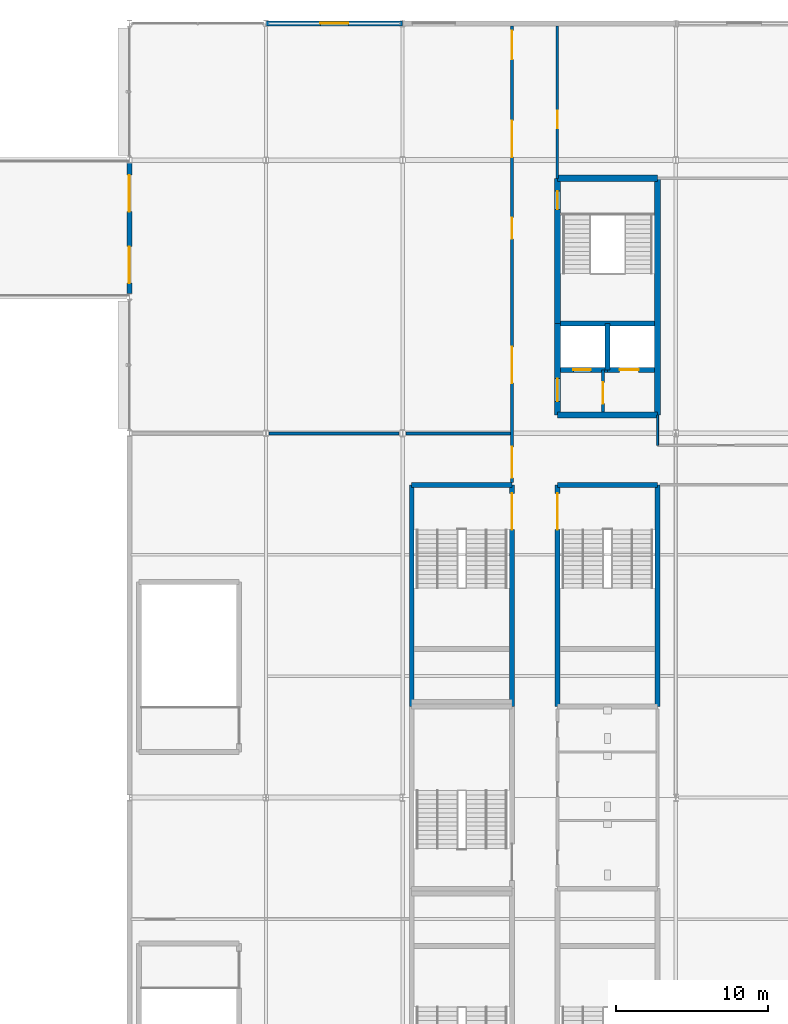
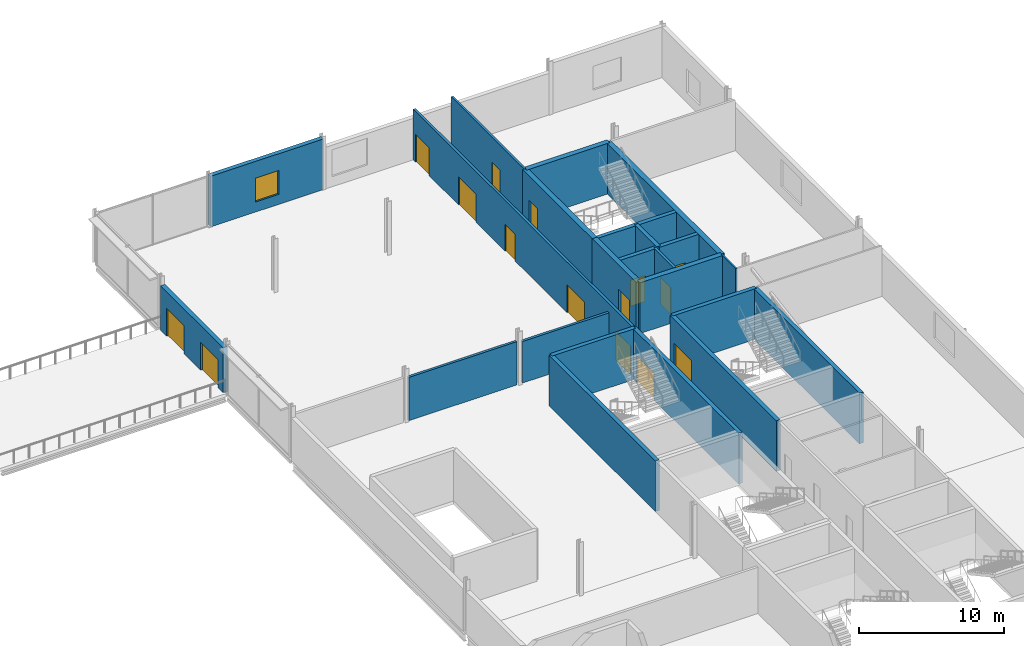
# One storey, part 45 of 73: 23 walls, 15 doors, 1 window, 16 openings.
"""IFC4 building model written with IfcOpenShell, lengths in metres."""

from ifc_helpers import new_model, si_unit, direction, frame, frame_2d, origin, place, context, subcontext, project, spatial, rectangle, extrude, material, layer, layer_set, type_object, element, fill, save


model = new_model("IFC4")

# Units and contexts
model_context = context("Model", 3, precision=1e-05, world=origin(), true_north=direction((0.0, 1.0)))
body_context = subcontext(model_context, "Body", "Model", "MODEL_VIEW")
ifc_project = project(units=[si_unit("LENGTHUNIT", "METRE"), si_unit("AREAUNIT", "SQUARE_METRE"), si_unit("VOLUMEUNIT", "CUBIC_METRE"), si_unit("PLANEANGLEUNIT", "RADIAN"), si_unit("MASSUNIT", "GRAM", prefix="KILO")], contexts=[model_context])

# Site, building, storey
site_placement = place(None, origin())
site = spatial("IfcSite", under=ifc_project, at=site_placement, CompositionType="ELEMENT")
building_placement = place(site_placement, origin())
building = spatial("IfcBuilding", under=site, at=building_placement, Name="Kisiwana Market Hall", CompositionType="ELEMENT")
storey_placement = place(building_placement, frame((0.0, 0.0, 33.300048828125)))
storey = spatial("IfcBuildingStorey", under=building, at=storey_placement, Name="L07", CompositionType="ELEMENT", Elevation=33.300048828125)

# Wall, opening, door
ifc_material_1 = material(Name="Masonry blockwork", Category="masonry")
ifc_layer_1 = layer(ifc_material_1, 0.199951171875, Name="Plastered fire compartment block wall")
ifc_layer_set_1 = layer_set([ifc_layer_1], Name="WL-COMP-200")
wall_type_1 = type_object("IfcWallType", Name="WL-COMP-200", PredefinedType="PARTITIONING", material=ifc_layer_set_1)
wall_1_placement = place(storey_placement, frame((184.199951171875, 85.39990234375, 0.0), z_axis=(0.0, 0.0, 1.0), x_axis=(0.0, 1.0, 0.0)))
wall_1 = element("IfcWall", 1, at=wall_1_placement, inside=storey, type_object=wall_type_1, Name="Core E1 firefighting lobby wall W-2207", PredefinedType="PARTITIONING", context=body_context, shape_type="SweptSolid", body=[
    extrude(rectangle(XDim=2.780029296875, YDim=0.199951171875, at=frame_2d((1.39013671875, 0.0))), origin(), (0.0, 0.0, 1.0), 4.2548828125),
])
opening_1_placement = place(wall_1_placement, frame((0.550048828125, 0.0, 0.0)))
opening_1 = element("IfcOpeningElement", 2, at=opening_1_placement, cuts=wall_1, Name="Opening DR-L07-012", PredefinedType="OPENING", context=body_context, shape_type="SweptSolid", body=[
    extrude(rectangle(XDim=1.39990234375, YDim=2.25, at=frame_2d((0.699951171875, 1.125))), frame((0.0, 0.11181640625, 0.0), z_axis=(0.0, -1.0, 0.0), x_axis=(1.0, 0.0, 0.0)), (0.0, 0.0, 1.0), 0.223876953125),
])
ifc_material_2 = material(Name="Steel S275", Category="steel")
door_type_1 = type_object("IfcDoorType", Name="DR-FFLOB-FD120-1400", OperationType="DOUBLE_DOOR_SINGLE_SWING", PredefinedType="DOOR", material=ifc_material_2)
door_1_placement = place(opening_1_placement, origin())
door_1 = element("IfcDoor", 3, at=door_1_placement, inside=storey, type_object=door_type_1, Name="Firefighting Lift Lobby E1 Door (L07)", OperationType="DOUBLE_DOOR_SINGLE_SWING", OverallHeight=2.25, OverallWidth=1.39990234375, PredefinedType="DOOR", context=body_context, shape_type="SweptSolid", body=[
    extrude(rectangle(XDim=1.39990234375, YDim=2.25, at=frame_2d((0.699951171875, 1.125))), frame((0.0, 0.02490234375, 0.0), z_axis=(0.0, -1.0, 0.0), x_axis=(1.0, 0.0, 0.0)), (0.0, 0.0, 1.0), 0.050048828125),
])
fill(opening_1, door_1)

# Walls
wall_2_placement = place(storey_placement, frame((162.199951171875, 84.0, 0.0), z_axis=(0.0, 0.0, 1.0), x_axis=(1.0, 0.0, 0.0)))
element("IfcWall", 4, at=wall_2_placement, inside=storey, type_object=wall_type_1, Name="Interior partition W-2253", PredefinedType="PARTITIONING", context=body_context, shape_type="SweptSolid", body=[
    extrude(rectangle(XDim=8.574951171875, YDim=0.199951171875, at=frame_2d((4.28759765625, 0.0))), origin(), (0.0, 0.0, 1.0), 3.6376953125),
])
wall_3_placement = place(storey_placement, frame((171.22509765625, 84.0, 0.0), z_axis=(0.0, 0.0, 1.0), x_axis=(1.0, 0.0, 0.0)))
element("IfcWall", 5, at=wall_3_placement, inside=storey, type_object=wall_type_1, Name="Interior partition W-2254", PredefinedType="PARTITIONING", context=body_context, shape_type="SweptSolid", body=[
    extrude(rectangle(XDim=6.875, YDim=0.199951171875, at=frame_2d((3.4375, 0.0))), origin(), (0.0, 0.0, 1.0), 3.49267578125),
])

# Wall, openings, doors
wall_4_placement = place(storey_placement, frame((178.199951171875, 80.760009765625, 0.0), z_axis=(0.0, 0.0, 1.0), x_axis=(0.0, 1.0, 0.0)))
wall_4 = element("IfcWall", 6, at=wall_4_placement, inside=storey, type_object=wall_type_1, Name="Interior partition W-2256", PredefinedType="PARTITIONING", context=body_context, shape_type="SweptSolid", body=[
    extrude(rectangle(XDim=30.070068359375, YDim=0.199951171875, at=frame_2d((15.03515625, 0.0))), origin(), (0.0, 0.0, 1.0), 4.2548828125),
])
opening_2_placement = place(wall_4_placement, frame((16.0400390625, 0.0, 0.0)))
opening_2 = element("IfcOpeningElement", 7, at=opening_2_placement, cuts=wall_4, Name="Opening DR-L07-060", PredefinedType="OPENING", context=body_context, shape_type="SweptSolid", body=[
    extrude(rectangle(XDim=1.39990234375, YDim=2.25, at=frame_2d((0.699951171875, 1.125))), frame((0.0, 0.11181640625, 0.0), z_axis=(0.0, -1.0, 0.0), x_axis=(1.0, 0.0, 0.0)), (0.0, 0.0, 1.0), 0.223876953125),
])
opening_3_placement = place(wall_4_placement, frame((6.5400390625, 0.0, 0.0)))
opening_3 = element("IfcOpeningElement", 8, at=opening_3_placement, cuts=wall_4, Name="Opening DR-L07-061", PredefinedType="OPENING", context=body_context, shape_type="SweptSolid", body=[
    extrude(rectangle(XDim=2.39990234375, YDim=2.35009765625, at=frame_2d((1.199951171875, 1.175048828125))), frame((0.0, 0.11181640625, 0.0), z_axis=(0.0, -1.0, 0.0), x_axis=(1.0, 0.0, 0.0)), (0.0, 0.0, 1.0), 0.223876953125),
])
opening_4_placement = place(wall_4_placement, frame((21.43994140625, 0.0, 0.0)))
opening_4 = element("IfcOpeningElement", 9, at=opening_4_placement, cuts=wall_4, Name="Opening DR-L07-062", PredefinedType="OPENING", context=body_context, shape_type="SweptSolid", body=[
    extrude(rectangle(XDim=2.39990234375, YDim=2.35009765625, at=frame_2d((1.199951171875, 1.175048828125))), frame((0.0, 0.11181640625, 0.0), z_axis=(0.0, -1.0, 0.0), x_axis=(1.0, 0.0, 0.0)), (0.0, 0.0, 1.0), 0.223876953125),
])
opening_5_placement = place(wall_4_placement, frame((0.300048828125, 0.0, 0.0)))
opening_5 = element("IfcOpeningElement", 10, at=opening_5_placement, cuts=wall_4, Name="Opening DR-L07-063", PredefinedType="OPENING", context=body_context, shape_type="SweptSolid", body=[
    extrude(rectangle(XDim=2.050048828125, YDim=2.39990234375, at=frame_2d((1.02490234375, 1.199951171875))), frame((0.0, 0.11181640625, 0.0), z_axis=(0.0, -1.0, 0.0), x_axis=(1.0, 0.0, 0.0)), (0.0, 0.0, 1.0), 0.223876953125),
])
opening_6_placement = place(wall_4_placement, frame((27.8701171875, 0.0, 0.0)))
opening_6 = element("IfcOpeningElement", 11, at=opening_6_placement, cuts=wall_4, Name="Opening DR-L07-064", PredefinedType="OPENING", context=body_context, shape_type="SweptSolid", body=[
    extrude(rectangle(XDim=1.89990234375, YDim=2.35009765625, at=frame_2d((0.949951171875, 1.175048828125))), frame((0.0, 0.11181640625, 0.0), z_axis=(0.0, -1.0, 0.0), x_axis=(1.0, 0.0, 0.0)), (0.0, 0.0, 1.0), 0.223876953125),
])
door_2_placement = place(opening_2_placement, origin())
door_2 = element("IfcDoor", 12, at=door_2_placement, inside=storey, type_object=door_type_1, Name="L07 E Refuge and Wellness Suite Door", OperationType="DOUBLE_DOOR_SINGLE_SWING", OverallHeight=2.25, OverallWidth=1.39990234375, PredefinedType="DOOR", context=body_context, shape_type="SweptSolid", body=[
    extrude(rectangle(XDim=1.39990234375, YDim=2.25, at=frame_2d((0.699951171875, 1.125))), frame((0.0, 0.02490234375, 0.0), z_axis=(0.0, -1.0, 0.0), x_axis=(1.0, 0.0, 0.0)), (0.0, 0.0, 1.0), 0.050048828125),
])
fill(opening_2, door_2)
ifc_material_3 = material(Name="Steel S275", Category="steel")
door_type_2 = type_object("IfcDoorType", Name="DR-HALL-1900", OperationType="DOUBLE_DOOR_SINGLE_SWING", PredefinedType="DOOR", material=ifc_material_3)
door_3_placement = place(opening_6_placement, origin())
door_3 = element("IfcDoor", 13, at=door_3_placement, inside=storey, type_object=door_type_2, Name="L07 E Town-Hall Briefing Room Door", OperationType="DOUBLE_DOOR_SINGLE_SWING", OverallHeight=2.35009765625, OverallWidth=1.89990234375, PredefinedType="DOOR", context=body_context, shape_type="SweptSolid", body=[
    extrude(rectangle(XDim=1.89990234375, YDim=2.35009765625, at=frame_2d((0.949951171875, 1.175048828125))), frame((0.0, 0.02490234375, 0.0), z_axis=(0.0, -1.0, 0.0), x_axis=(1.0, 0.0, 0.0)), (0.0, 0.0, 1.0), 0.050048828125),
])
fill(opening_6, door_3)
ifc_material_4 = material(Name="Hardwood timber", Category="wood")
door_type_3 = type_object("IfcDoorType", Name="DR-HALL-2050", OperationType="DOUBLE_DOOR_SINGLE_SWING", PredefinedType="DOOR", material=ifc_material_4)
door_4_placement = place(opening_5_placement, origin())
door_4 = element("IfcDoor", 14, at=door_4_placement, inside=storey, type_object=door_type_3, Name="L07 E Staff Dining Canteen Door", OperationType="DOUBLE_DOOR_SINGLE_SWING", OverallHeight=2.39990234375, OverallWidth=2.050048828125, PredefinedType="DOOR", context=body_context, shape_type="SweptSolid", body=[
    extrude(rectangle(XDim=2.050048828125, YDim=2.39990234375, at=frame_2d((1.02490234375, 1.199951171875))), frame((0.0, 0.02490234375, 0.0), z_axis=(0.0, -1.0, 0.0), x_axis=(1.0, 0.0, 0.0)), (0.0, 0.0, 1.0), 0.050048828125),
])
fill(opening_5, door_4)
ifc_material_5 = material(Name="Steel S275", Category="steel")
door_type_4 = type_object("IfcDoorType", Name="DR-HALL-2400", OperationType="DOUBLE_DOOR_SINGLE_SWING", PredefinedType="DOOR", material=ifc_material_5)
door_5_placement = place(opening_3_placement, origin())
door_5 = element("IfcDoor", 15, at=door_5_placement, inside=storey, type_object=door_type_4, Name="L07 E Refuge and Wellness Suite Second Door", OperationType="DOUBLE_DOOR_SINGLE_SWING", OverallHeight=2.35009765625, OverallWidth=2.39990234375, PredefinedType="DOOR", context=body_context, shape_type="SweptSolid", body=[
    extrude(rectangle(XDim=2.39990234375, YDim=2.35009765625, at=frame_2d((1.199951171875, 1.175048828125))), frame((0.0, 0.02490234375, 0.0), z_axis=(0.0, -1.0, 0.0), x_axis=(1.0, 0.0, 0.0)), (0.0, 0.0, 1.0), 0.050048828125),
])
fill(opening_3, door_5)
door_6_placement = place(opening_4_placement, origin())
door_6 = element("IfcDoor", 16, at=door_6_placement, inside=storey, type_object=door_type_4, Name="L07 E Refuge and Wellness Suite Third Door", OperationType="DOUBLE_DOOR_SINGLE_SWING", OverallHeight=2.35009765625, OverallWidth=2.39990234375, PredefinedType="DOOR", context=body_context, shape_type="SweptSolid", body=[
    extrude(rectangle(XDim=2.39990234375, YDim=2.35009765625, at=frame_2d((1.199951171875, 1.175048828125))), frame((0.0, 0.02490234375, 0.0), z_axis=(0.0, -1.0, 0.0), x_axis=(1.0, 0.0, 0.0)), (0.0, 0.0, 1.0), 0.050048828125),
])
fill(opening_4, door_6)

# Walls
ifc_material_6 = material(Name="Concrete C40/50", Category="concrete")
ifc_layer_2 = layer(ifc_material_6, 0.320068359375, Name="Reinforced concrete shaft wall")
ifc_layer_set_2 = layer_set([ifc_layer_2], Name="WL-CORE-320")
wall_type_2 = type_object("IfcWallType", Name="WL-CORE-320", PredefinedType="SHEAR", material=ifc_layer_set_2)
wall_5_placement = place(storey_placement, frame((181.39990234375, 91.239990234375, 0.0), z_axis=(0.0, 0.0, 1.0), x_axis=(1.0, 0.0, 0.0)))
element("IfcWall", 17, at=wall_5_placement, inside=storey, type_object=wall_type_2, Name="Core E1 shaft back shear wall W-2110", PredefinedType="SHEAR", context=body_context, shape_type="SweptSolid", body=[
    extrude(rectangle(XDim=6.2001953125, YDim=0.320068359375, at=frame_2d((3.10009765625, 0.0))), origin(), (0.0, 0.0, 1.0), 4.2548828125),
])
wall_6_placement = place(storey_placement, frame((184.5, 88.179931640625, 0.0), z_axis=(0.0, 0.0, 1.0), x_axis=(0.0, 1.0, 0.0)))
element("IfcWall", 18, at=wall_6_placement, inside=storey, type_object=wall_type_2, Name="Core E1 inter-shaft shear wall W-2111", PredefinedType="SHEAR", context=body_context, shape_type="SweptSolid", body=[
    extrude(rectangle(XDim=3.06005859375, YDim=0.320068359375, at=frame_2d((1.530029296875, 0.0))), origin(), (0.0, 0.0, 1.0), 4.2548828125),
])

# Wall, opening, door
wall_7_placement = place(storey_placement, frame((181.39990234375, 88.179931640625, 0.0), z_axis=(0.0, 0.0, 1.0), x_axis=(1.0, 0.0, 0.0)))
wall_7 = element("IfcWall", 19, at=wall_7_placement, inside=storey, type_object=wall_type_2, Name="Core E1 west lift front wall W-2112", PredefinedType="SHEAR", context=body_context, shape_type="SweptSolid", body=[
    extrude(rectangle(XDim=3.10009765625, YDim=0.320068359375, at=frame_2d((1.550048828125, 0.0))), origin(), (0.0, 0.0, 1.0), 4.2548828125),
])
opening_7_placement = place(wall_7_placement, frame((0.85009765625, 0.0, 0.0)))
opening_7 = element("IfcOpeningElement", 20, at=opening_7_placement, cuts=wall_7, Name="Opening LD-L07-007", PredefinedType="OPENING", context=body_context, shape_type="SweptSolid", body=[
    extrude(rectangle(XDim=1.14990234375, YDim=2.199951171875, at=frame_2d((0.574951171875, 1.10009765625))), frame((0.0, 0.171875, 0.0), z_axis=(0.0, -1.0, 0.0), x_axis=(1.0, 0.0, 0.0)), (0.0, 0.0, 1.0), 0.343994140625),
])
ifc_material_7 = material(Name="Steel S275", Category="steel")
door_type_5 = type_object("IfcDoorType", Name="DR-LIFT-PAX-1150", OperationType="DOUBLE_DOOR_SLIDING", PredefinedType="DOOR", material=ifc_material_7)
door_7_placement = place(opening_7_placement, origin())
door_7 = element("IfcDoor", 21, at=door_7_placement, inside=storey, type_object=door_type_5, Name="Lift Landing Door LP-04 (L07)", OperationType="DOUBLE_DOOR_SLIDING", OverallHeight=2.199951171875, OverallWidth=1.14990234375, PredefinedType="DOOR", context=body_context, shape_type="SweptSolid", body=[
    extrude(rectangle(XDim=1.14990234375, YDim=2.199951171875, at=frame_2d((0.574951171875, 1.10009765625))), frame((0.0, 0.02490234375, 0.0), z_axis=(0.0, -1.0, 0.0), x_axis=(1.0, 0.0, 0.0)), (0.0, 0.0, 1.0), 0.050048828125),
])
fill(opening_7, door_7)

wall_8_placement = place(storey_placement, frame((184.5, 88.179931640625, 0.0), z_axis=(0.0, 0.0, 1.0), x_axis=(1.0, 0.0, 0.0)))
wall_8 = element("IfcWall", 22, at=wall_8_placement, inside=storey, type_object=wall_type_2, Name="Core E1 east lift front wall W-2113", PredefinedType="SHEAR", context=body_context, shape_type="SweptSolid", body=[
    extrude(rectangle(XDim=3.10009765625, YDim=0.320068359375, at=frame_2d((1.550048828125, 0.0))), origin(), (0.0, 0.0, 1.0), 4.2548828125),
])
opening_8_placement = place(wall_8_placement, frame((0.800048828125, 0.0, 0.0)))
opening_8 = element("IfcOpeningElement", 23, at=opening_8_placement, cuts=wall_8, Name="Opening LD-L07-008", PredefinedType="OPENING", context=body_context, shape_type="SweptSolid", body=[
    extrude(rectangle(XDim=1.25, YDim=2.25, at=frame_2d((0.625, 1.125))), frame((0.0, 0.171875, 0.0), z_axis=(0.0, -1.0, 0.0), x_axis=(1.0, 0.0, 0.0)), (0.0, 0.0, 1.0), 0.343994140625),
])
ifc_material_8 = material(Name="Steel S275", Category="steel")
door_type_6 = type_object("IfcDoorType", Name="DR-LIFT-FFL-1250", OperationType="DOUBLE_DOOR_SLIDING", PredefinedType="DOOR", material=ifc_material_8)
door_8_placement = place(opening_8_placement, origin())
door_8 = element("IfcDoor", 24, at=door_8_placement, inside=storey, type_object=door_type_6, Name="Lift Landing Door FFL-04 (L07)", OperationType="DOUBLE_DOOR_SLIDING", OverallHeight=2.25, OverallWidth=1.25, PredefinedType="DOOR", context=body_context, shape_type="SweptSolid", body=[
    extrude(rectangle(XDim=1.25, YDim=2.25, at=frame_2d((0.625, 1.125))), frame((0.0, 0.02490234375, 0.0), z_axis=(0.0, -1.0, 0.0), x_axis=(1.0, 0.0, 0.0)), (0.0, 0.0, 1.0), 0.050048828125),
])
fill(opening_8, door_8)

# Wall
wall_9_placement = place(storey_placement, frame((181.199951171875, 80.60009765625, 0.0), z_axis=(0.0, 0.0, 1.0), x_axis=(1.0, 0.0, 0.0)))
element("IfcWall", 25, at=wall_9_placement, inside=storey, type_object=wall_type_2, Name="Core E4 north shear wall W-2130", PredefinedType="SHEAR", context=body_context, shape_type="SweptSolid", body=[
    extrude(rectangle(XDim=6.60009765625, YDim=0.320068359375, at=frame_2d((3.300048828125, 0.0))), origin(), (0.0, 0.0, 1.0), 4.2548828125),
])

# Wall, opening, door
wall_10_placement = place(storey_placement, frame((181.199951171875, 66.0, 0.0), z_axis=(0.0, 0.0, 1.0), x_axis=(0.0, 1.0, 0.0)))
wall_10 = element("IfcWall", 26, at=wall_10_placement, inside=storey, type_object=wall_type_2, Name="Core E4 corridor shear wall W-2131", PredefinedType="SHEAR", context=body_context, shape_type="SweptSolid", body=[
    extrude(rectangle(XDim=14.60009765625, YDim=0.320068359375, at=frame_2d((7.300048828125, 0.0))), origin(), (0.0, 0.0, 1.0), 4.2548828125),
])
opening_9_placement = place(wall_10_placement, frame((11.64990234375, 0.0, 0.0)))
opening_9 = element("IfcOpeningElement", 27, at=opening_9_placement, cuts=wall_10, Name="Opening DR-L07-016", PredefinedType="OPENING", context=body_context, shape_type="SweptSolid", body=[
    extrude(rectangle(XDim=2.39990234375, YDim=2.25, at=frame_2d((1.199951171875, 1.125))), frame((0.0, 0.171875, 0.0), z_axis=(0.0, -1.0, 0.0), x_axis=(1.0, 0.0, 0.0)), (0.0, 0.0, 1.0), 0.343994140625),
])
ifc_material_9 = material(Name="Steel S275", Category="steel")
door_type_7 = type_object("IfcDoorType", Name="DR-STAIR-FD120-2400", OperationType="DOUBLE_DOOR_SINGLE_SWING", PredefinedType="DOOR", material=ifc_material_9)
door_9_placement = place(opening_9_placement, frame((2.39990234375, 0.0, 0.0), z_axis=(0.0, 0.0, 1.0), x_axis=(-1.0, 0.0, 0.0)))
door_9 = element("IfcDoor", 28, at=door_9_placement, inside=storey, type_object=door_type_7, Name="Escape Stair E4 Fire Door (L07)", OperationType="DOUBLE_DOOR_SINGLE_SWING", OverallHeight=2.25, OverallWidth=2.39990234375, PredefinedType="DOOR", context=body_context, shape_type="SweptSolid", body=[
    extrude(rectangle(XDim=2.39990234375, YDim=2.25, at=frame_2d((1.199951171875, 1.125))), frame((0.0, 0.02490234375, 0.0), z_axis=(0.0, -1.0, 0.0), x_axis=(1.0, 0.0, 0.0)), (0.0, 0.0, 1.0), 0.050048828125),
])
fill(opening_9, door_9)

# Walls
wall_11_placement = place(storey_placement, frame((187.800048828125, 66.0, 0.0), z_axis=(0.0, 0.0, 1.0), x_axis=(0.0, 1.0, 0.0)))
element("IfcWall", 29, at=wall_11_placement, inside=storey, type_object=wall_type_2, Name="Core E4 outer shear wall W-2132", PredefinedType="SHEAR", context=body_context, shape_type="SweptSolid", body=[
    extrude(rectangle(XDim=14.60009765625, YDim=0.320068359375, at=frame_2d((7.300048828125, 0.0))), origin(), (0.0, 0.0, 1.0), 4.2548828125),
])
wall_12_placement = place(storey_placement, frame((171.60009765625, 80.60009765625, 0.0), z_axis=(0.0, 0.0, 1.0), x_axis=(1.0, 0.0, 0.0)))
element("IfcWall", 30, at=wall_12_placement, inside=storey, type_object=wall_type_2, Name="Core E8 north shear wall W-2150", PredefinedType="SHEAR", context=body_context, shape_type="SweptSolid", body=[
    extrude(rectangle(XDim=6.599853515625, YDim=0.320068359375, at=frame_2d((3.2998046875, 0.0))), origin(), (0.0, 0.0, 1.0), 4.2548828125),
])
wall_13_placement = place(storey_placement, frame((171.60009765625, 66.0, 0.0), z_axis=(0.0, 0.0, 1.0), x_axis=(0.0, 1.0, 0.0)))
element("IfcWall", 31, at=wall_13_placement, inside=storey, type_object=wall_type_2, Name="Core E8 outer shear wall W-2151", PredefinedType="SHEAR", context=body_context, shape_type="SweptSolid", body=[
    extrude(rectangle(XDim=14.60009765625, YDim=0.320068359375, at=frame_2d((7.300048828125, 0.0))), origin(), (0.0, 0.0, 1.0), 4.2548828125),
])

# Wall, opening, door
wall_14_placement = place(storey_placement, frame((178.199951171875, 66.0, 0.0), z_axis=(0.0, 0.0, 1.0), x_axis=(0.0, 1.0, 0.0)))
wall_14 = element("IfcWall", 32, at=wall_14_placement, inside=storey, type_object=wall_type_2, Name="Core E8 corridor shear wall W-2152", PredefinedType="SHEAR", context=body_context, shape_type="SweptSolid", body=[
    extrude(rectangle(XDim=14.60009765625, YDim=0.320068359375, at=frame_2d((7.300048828125, 0.0))), origin(), (0.0, 0.0, 1.0), 4.2548828125),
])
opening_10_placement = place(wall_14_placement, frame((11.64990234375, 0.0, 0.0)))
opening_10 = element("IfcOpeningElement", 33, at=opening_10_placement, cuts=wall_14, Name="Opening DR-L07-020", PredefinedType="OPENING", context=body_context, shape_type="SweptSolid", body=[
    extrude(rectangle(XDim=2.39990234375, YDim=2.25, at=frame_2d((1.199951171875, 1.125))), frame((0.0, 0.171875, 0.0), z_axis=(0.0, -1.0, 0.0), x_axis=(1.0, 0.0, 0.0)), (0.0, 0.0, 1.0), 0.343994140625),
])
door_10_placement = place(opening_10_placement, origin())
door_10 = element("IfcDoor", 34, at=door_10_placement, inside=storey, type_object=door_type_7, Name="Escape Stair E8 Fire Door (L07)", OperationType="DOUBLE_DOOR_SINGLE_SWING", OverallHeight=2.25, OverallWidth=2.39990234375, PredefinedType="DOOR", context=body_context, shape_type="SweptSolid", body=[
    extrude(rectangle(XDim=2.39990234375, YDim=2.25, at=frame_2d((1.199951171875, 1.125))), frame((0.0, 0.02490234375, 0.0), z_axis=(0.0, -1.0, 0.0), x_axis=(1.0, 0.0, 0.0)), (0.0, 0.0, 1.0), 0.050048828125),
])
fill(opening_10, door_10)

# Walls
ifc_material_10 = material(Name="Concrete C40/50", Category="concrete")
ifc_layer_3 = layer(ifc_material_10, 0.39990234375, Name="Reinforced concrete core wall")
ifc_layer_set_3 = layer_set([ifc_layer_3], Name="WL-CORE-400")
wall_type_3 = type_object("IfcWallType", Name="WL-CORE-400", PredefinedType="SHEAR", material=ifc_layer_set_3)
for number, where, z_axis, x_axis, name in (
    (35, (181.199951171875, 85.199951171875, 0.0), (0.0, 0.0, 1.0), (1.0, 0.0, 0.0), "Core E1 south shear wall W-2105"),
    (36, (181.199951171875, 100.800048828125, 0.0), (0.0, 0.0, 1.0), (1.0, 0.0, 0.0), "Core E1 north shear wall W-2106"),
):
    element("IfcWall", number, at=place(storey_placement, frame(where, z_axis=z_axis, x_axis=x_axis)), inside=storey, type_object=wall_type_3, Name=name, PredefinedType="SHEAR", context=body_context, shape_type="SweptSolid", body=[
        extrude(rectangle(XDim=6.60009765625, YDim=0.39990234375, at=frame_2d((3.300048828125, 0.0))), origin(), (0.0, 0.0, 1.0), 4.2548828125),
    ])
wall_15_placement = place(storey_placement, frame((187.800048828125, 85.199951171875, 0.0), z_axis=(0.0, 0.0, 1.0), x_axis=(0.0, 1.0, 0.0)))
element("IfcWall", 37, at=wall_15_placement, inside=storey, type_object=wall_type_3, Name="Core E1 outer shear wall W-2107", PredefinedType="SHEAR", context=body_context, shape_type="SweptSolid", body=[
    extrude(rectangle(XDim=15.60009765625, YDim=0.39990234375, at=frame_2d((7.800048828125, 0.0))), origin(), (0.0, 0.0, 1.0), 4.2548828125),
])

# Wall, opening, door
wall_16_placement = place(storey_placement, frame((181.199951171875, 85.199951171875, 0.0), z_axis=(0.0, 0.0, 1.0), x_axis=(0.0, 1.0, 0.0)))
wall_16 = element("IfcWall", 38, at=wall_16_placement, inside=storey, type_object=wall_type_3, Name="Core E1 lobby corridor shear wall W-2108", PredefinedType="SHEAR", context=body_context, shape_type="SweptSolid", body=[
    extrude(rectangle(XDim=6.0400390625, YDim=0.39990234375, at=frame_2d((3.02001953125, 0.0))), origin(), (0.0, 0.0, 1.0), 4.2548828125),
])
opening_11_placement = place(wall_16_placement, frame((0.89990234375, 0.0, 0.0)))
opening_11 = element("IfcOpeningElement", 39, at=opening_11_placement, cuts=wall_16, Name="Opening DR-L07-010", PredefinedType="OPENING", context=body_context, shape_type="SweptSolid", body=[
    extrude(rectangle(XDim=1.5, YDim=2.199951171875, at=frame_2d((0.75, 1.10009765625))), frame((0.0, 0.2119140625, 0.0), z_axis=(0.0, -1.0, 0.0), x_axis=(1.0, 0.0, 0.0)), (0.0, 0.0, 1.0), 0.423828125),
])
ifc_material_11 = material(Name="Steel S275", Category="steel")
door_type_8 = type_object("IfcDoorType", Name="DR-CORR-FD60-1500", OperationType="DOUBLE_DOOR_SINGLE_SWING", PredefinedType="DOOR", material=ifc_material_11)
door_11_placement = place(opening_11_placement, origin())
door_11 = element("IfcDoor", 40, at=door_11_placement, inside=storey, type_object=door_type_8, Name="Passenger Lift Lobby E1 Smoke Door (L07)", OperationType="DOUBLE_DOOR_SINGLE_SWING", OverallHeight=2.199951171875, OverallWidth=1.5, PredefinedType="DOOR", context=body_context, shape_type="SweptSolid", body=[
    extrude(rectangle(XDim=1.5, YDim=2.199951171875, at=frame_2d((0.75, 1.10009765625))), frame((0.0, 0.02490234375, 0.0), z_axis=(0.0, -1.0, 0.0), x_axis=(1.0, 0.0, 0.0)), (0.0, 0.0, 1.0), 0.050048828125),
])
fill(opening_11, door_11)

wall_17_placement = place(storey_placement, frame((181.199951171875, 91.239990234375, 0.0), z_axis=(0.0, 0.0, 1.0), x_axis=(0.0, 1.0, 0.0)))
wall_17 = element("IfcWall", 41, at=wall_17_placement, inside=storey, type_object=wall_type_3, Name="Core E1 stair corridor shear wall W-2109", PredefinedType="SHEAR", context=body_context, shape_type="SweptSolid", body=[
    extrude(rectangle(XDim=9.56005859375, YDim=0.39990234375, at=frame_2d((4.780029296875, 0.0))), origin(), (0.0, 0.0, 1.0), 4.2548828125),
])
opening_12_placement = place(wall_17_placement, frame((7.510009765625, 0.0, 0.0)))
opening_12 = element("IfcOpeningElement", 42, at=opening_12_placement, cuts=wall_17, Name="Opening DR-L07-011", PredefinedType="OPENING", context=body_context, shape_type="SweptSolid", body=[
    extrude(rectangle(XDim=1.199951171875, YDim=2.199951171875, at=frame_2d((0.60009765625, 1.10009765625))), frame((0.0, 0.2119140625, 0.0), z_axis=(0.0, -1.0, 0.0), x_axis=(1.0, 0.0, 0.0)), (0.0, 0.0, 1.0), 0.423828125),
])
ifc_material_12 = material(Name="Steel S275", Category="steel")
door_type_9 = type_object("IfcDoorType", Name="DR-STAIR-FD120-1200", OperationType="NOTDEFINED", PredefinedType="DOOR", material=ifc_material_12)
door_12_placement = place(opening_12_placement, frame((1.199951171875, 0.0, 0.0), z_axis=(0.0, 0.0, 1.0), x_axis=(-1.0, 0.0, 0.0)))
door_12 = element("IfcDoor", 43, at=door_12_placement, inside=storey, type_object=door_type_9, Name="Escape Stair E1 Fire Door (L07)", OperationType="SINGLE_SWING_LEFT", OverallHeight=2.199951171875, OverallWidth=1.199951171875, PredefinedType="DOOR", context=body_context, shape_type="SweptSolid", body=[
    extrude(rectangle(XDim=1.199951171875, YDim=2.199951171875, at=frame_2d((0.60009765625, 1.10009765625))), frame((0.0, 0.02490234375, 0.0), z_axis=(0.0, -1.0, 0.0), x_axis=(1.0, 0.0, 0.0)), (0.0, 0.0, 1.0), 0.050048828125),
])
fill(opening_12, door_12)

ifc_material_13 = material(Name="Masonry blockwork", Category="masonry")
ifc_layer_4 = layer(ifc_material_13, 0.169921875, Name="Protected corridor partition")
ifc_layer_set_4 = layer_set([ifc_layer_4], Name="WL-CORR-170")
wall_type_4 = type_object("IfcWallType", Name="WL-CORR-170", PredefinedType="PARTITIONING", material=ifc_layer_set_4)
wall_18_placement = place(storey_placement, frame((181.199951171875, 100.800048828125, 0.0), z_axis=(0.0, 0.0, 1.0), x_axis=(0.0, 1.0, 0.0)))
wall_18 = element("IfcWall", 44, at=wall_18_placement, inside=storey, type_object=wall_type_4, Name="Interior partition W-2246", PredefinedType="PARTITIONING", context=body_context, shape_type="SweptSolid", body=[
    extrude(rectangle(XDim=10.030029296875, YDim=0.169921875, at=frame_2d((5.01513671875, 0.0))), origin(), (0.0, 0.0, 1.0), 4.2548828125),
])
opening_13_placement = place(wall_18_placement, frame((3.300048828125, 0.0, 0.0)))
opening_13 = element("IfcOpeningElement", 45, at=opening_13_placement, cuts=wall_18, Name="Opening DR-L07-053", PredefinedType="OPENING", context=body_context, shape_type="SweptSolid", body=[
    extrude(rectangle(XDim=1.14990234375, YDim=2.14990234375, at=frame_2d((0.574951171875, 1.074951171875))), frame((0.0, 0.096923828125, 0.0), z_axis=(0.0, -1.0, 0.0), x_axis=(1.0, 0.0, 0.0)), (0.0, 0.0, 1.0), 0.19384765625),
])
ifc_material_14 = material(Name="Aluminium alloy 6063-T6", Category="aluminium")
door_type_10 = type_object("IfcDoorType", Name="DR-MEET-1150", OperationType="NOTDEFINED", PredefinedType="DOOR", material=ifc_material_14)
door_13_placement = place(opening_13_placement, frame((1.14990234375, 0.0, 0.0), z_axis=(0.0, 0.0, 1.0), x_axis=(-1.0, 0.0, 0.0)))
door_13 = element("IfcDoor", 46, at=door_13_placement, inside=storey, type_object=door_type_10, Name="L07 E Corner Office Suite North Door", OperationType="SINGLE_SWING_RIGHT", OverallHeight=2.14990234375, OverallWidth=1.14990234375, PredefinedType="DOOR", context=body_context, shape_type="SweptSolid", body=[
    extrude(rectangle(XDim=1.14990234375, YDim=2.14990234375, at=frame_2d((0.574951171875, 1.074951171875))), frame((0.0, 0.02490234375, 0.0), z_axis=(0.0, -1.0, 0.0), x_axis=(1.0, 0.0, 0.0)), (0.0, 0.0, 1.0), 0.050048828125),
])
fill(opening_13, door_13)

# Wall, opening, window
ifc_material_15 = material(Name="Concrete C40/50 precast", Category="concrete")
ifc_layer_5 = layer(ifc_material_15, 0.14990234375, Name="Precast architectural concrete spandrel")
ifc_material_16 = material(Name="Mineral wool insulation")
ifc_layer_6 = layer(ifc_material_16, 0.090087890625, Name="Rockwool thermal insulation")
ifc_material_17 = material(Name="Masonry blockwork", Category="masonry")
ifc_layer_7 = layer(ifc_material_17, 0.10009765625, Name="Inner masonry block leaf")
ifc_layer_set_5 = layer_set([ifc_layer_5, ifc_layer_6, ifc_layer_7], Name="WL-EXT-PREC-340")
wall_type_5 = type_object("IfcWallType", Name="WL-EXT-PREC-340", PredefinedType="STANDARD", material=ifc_layer_set_5)
wall_19_placement = place(storey_placement, frame((162.010009765625, 111.0, 0.0), z_axis=(0.0, 0.0, 1.0), x_axis=(1.0, 0.0, 0.0)))
wall_19 = element("IfcWall", 47, at=wall_19_placement, inside=storey, type_object=wall_type_5, Name="Exterior wall W-2185", PredefinedType="STANDARD", context=body_context, shape_type="SweptSolid", body=[
    extrude(rectangle(XDim=8.97998046875, YDim=0.340087890625, at=frame_2d((4.489990234375, 0.0))), origin(), (0.0, 0.0, 1.0), 4.2548828125),
])
opening_14_placement = place(wall_19_placement, frame((3.56494140625, 0.0, 0.85009765625)))
opening_14 = element("IfcOpeningElement", 48, at=opening_14_placement, cuts=wall_19, Name="Opening W-35", PredefinedType="OPENING", context=body_context, shape_type="SweptSolid", body=[
    extrude(rectangle(XDim=1.85009765625, YDim=2.0, at=frame_2d((0.925048828125, 1.0))), frame((0.0, 0.18212890625, 0.0), z_axis=(0.0, -1.0, 0.0), x_axis=(1.0, 0.0, 0.0)), (0.0, 0.0, 1.0), 0.364013671875),
])
ifc_material_18 = material(Name="Double-glazed solar-control low-E IGU", Category="glass")
window_type = type_object("IfcWindowType", Name="WN-TWRC-1850x2000", PartitioningType="SINGLE_PANEL", PredefinedType="WINDOW", material=ifc_material_18)
window_placement = place(opening_14_placement, origin())
window = element("IfcWindow", 49, at=window_placement, inside=storey, type_object=window_type, Name="Exterior window WN-209", OverallHeight=2.0, OverallWidth=1.85009765625, PartitioningType="SINGLE_PANEL", PredefinedType="WINDOW", context=body_context, shape_type="SweptSolid", body=[
    extrude(rectangle(XDim=1.85009765625, YDim=2.0, at=frame_2d((0.925048828125, 1.0))), frame((0.0, 0.030029296875, 0.0), z_axis=(0.0, -1.0, 0.0), x_axis=(1.0, 0.0, 0.0)), (0.0, 0.0, 1.0), 0.06005859375),
])
fill(opening_14, window)

# Wall, openings, doors
wall_20_placement = place(storey_placement, frame((153.0, 93.197998046875, 0.0), z_axis=(0.0, 0.0, 1.0), x_axis=(0.0, 1.0, 0.0)))
wall_20 = element("IfcWall", 50, at=wall_20_placement, inside=storey, type_object=wall_type_5, Name="Exterior wall W-2198", PredefinedType="STANDARD", context=body_context, shape_type="SweptSolid", body=[
    extrude(rectangle(XDim=8.60400390625, YDim=0.340087890625, at=frame_2d((4.302001953125, 0.0))), origin(), (0.0, 0.0, 1.0), 3.758056640625),
])
opening_15_placement = place(wall_20_placement, frame((0.701904296875, 0.0, 0.0)))
opening_15 = element("IfcOpeningElement", 51, at=opening_15_placement, cuts=wall_20, Name="Opening DR-L07-985", PredefinedType="OPENING", context=body_context, shape_type="SweptSolid", body=[
    extrude(rectangle(XDim=2.39990234375, YDim=2.35009765625, at=frame_2d((1.199951171875, 1.175048828125))), frame((0.0, 0.18212890625, 0.0), z_axis=(0.0, -1.0, 0.0), x_axis=(1.0, 0.0, 0.0)), (0.0, 0.0, 1.0), 0.364013671875),
])
opening_16_placement = place(wall_20_placement, frame((5.402099609375, 0.0, 0.0)))
opening_16 = element("IfcOpeningElement", 52, at=opening_16_placement, cuts=wall_20, Name="Opening DR-L07-986", PredefinedType="OPENING", context=body_context, shape_type="SweptSolid", body=[
    extrude(rectangle(XDim=2.39990234375, YDim=2.35009765625, at=frame_2d((1.199951171875, 1.175048828125))), frame((0.0, 0.18212890625, 0.0), z_axis=(0.0, -1.0, 0.0), x_axis=(1.0, 0.0, 0.0)), (0.0, 0.0, 1.0), 0.364013671875),
])
ifc_material_19 = material(Name="Aluminium alloy 6063-T6", Category="aluminium")
door_type_11 = type_object("IfcDoorType", Name="DR-EXT-TERR-2400", OperationType="DOUBLE_DOOR_SINGLE_SWING", PredefinedType="DOOR", material=ifc_material_19)
door_14_placement = place(opening_15_placement, frame((2.39990234375, 0.0, 0.0), z_axis=(0.0, 0.0, 1.0), x_axis=(-1.0, 0.0, 0.0)))
door_14 = element("IfcDoor", 53, at=door_14_placement, inside=storey, type_object=door_type_11, Name="Exterior terrace access door DR-L07-985", OperationType="DOUBLE_DOOR_SINGLE_SWING", OverallHeight=2.35009765625, OverallWidth=2.39990234375, PredefinedType="DOOR", context=body_context, shape_type="SweptSolid", body=[
    extrude(rectangle(XDim=2.39990234375, YDim=2.35009765625, at=frame_2d((1.199951171875, 1.175048828125))), frame((0.0, 0.02490234375, 0.0), z_axis=(0.0, -1.0, 0.0), x_axis=(1.0, 0.0, 0.0)), (0.0, 0.0, 1.0), 0.050048828125),
])
fill(opening_15, door_14)
door_15_placement = place(opening_16_placement, frame((2.39990234375, 0.0, 0.0), z_axis=(0.0, 0.0, 1.0), x_axis=(-1.0, 0.0, 0.0)))
door_15 = element("IfcDoor", 54, at=door_15_placement, inside=storey, type_object=door_type_11, Name="Exterior terrace access door DR-L07-986", OperationType="DOUBLE_DOOR_SINGLE_SWING", OverallHeight=2.35009765625, OverallWidth=2.39990234375, PredefinedType="DOOR", context=body_context, shape_type="SweptSolid", body=[
    extrude(rectangle(XDim=2.39990234375, YDim=2.35009765625, at=frame_2d((1.199951171875, 1.175048828125))), frame((0.0, 0.02490234375, 0.0), z_axis=(0.0, -1.0, 0.0), x_axis=(1.0, 0.0, 0.0)), (0.0, 0.0, 1.0), 0.050048828125),
])
fill(opening_16, door_15)

# Wall
ifc_material_20 = material(Name="Gypsum plasterboard")
ifc_layer_8 = layer(ifc_material_20, 0.125, Name="Double gypsum board + acoustic stud")
ifc_layer_set_6 = layer_set([ifc_layer_8], Name="WL-OFF-125")
wall_type_6 = type_object("IfcWallType", Name="WL-OFF-125", PredefinedType="PARTITIONING", material=ifc_layer_set_6)
wall_21_placement = place(storey_placement, frame((187.800048828125, 83.199951171875, 0.0), z_axis=(0.0, 0.0, 1.0), x_axis=(0.0, 1.0, 0.0)))
element("IfcWall", 55, at=wall_21_placement, inside=storey, type_object=wall_type_6, Name="Interior partition W-2238", PredefinedType="PARTITIONING", context=body_context, shape_type="SweptSolid", body=[
    extrude(rectangle(XDim=2.0, YDim=0.125, at=frame_2d((1.0, 0.0))), origin(), (0.0, 0.0, 1.0), 4.2548828125),
])

save(model, "model.ifc")
